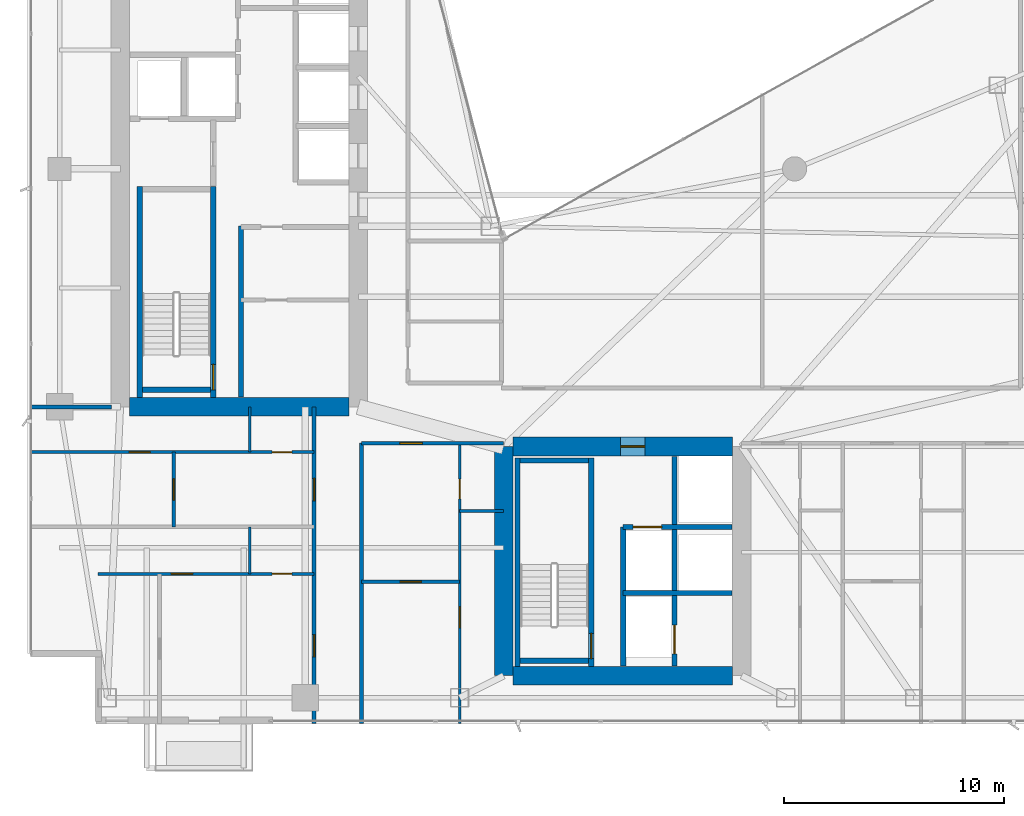
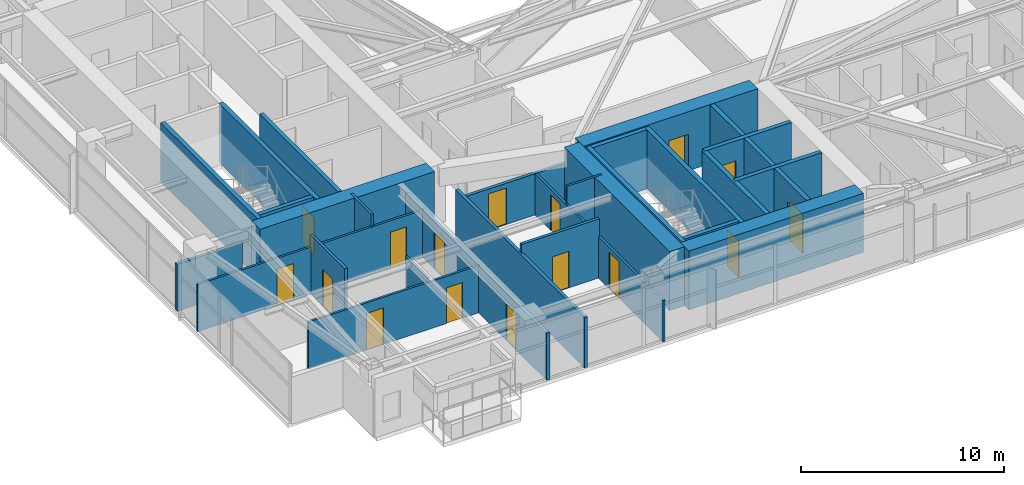
# One storey, part 22 of 28: 28 walls, 16 doors, 16 openings.
"""IFC4 building model written with IfcOpenShell, lengths in metres."""

from ifc_helpers import new_model, si_unit, direction, frame, frame_2d, origin, place, context, subcontext, project, spatial, rectangle, extrude, material, layer, layer_set, type_object, element, fill, save


model = new_model("IFC4")

# Units and contexts
model_context = context("Model", 3, precision=1e-05, world=origin(), true_north=direction((0.0, 1.0)))
body_context = subcontext(model_context, "Body", "Model", "MODEL_VIEW")
ifc_project = project(units=[si_unit("LENGTHUNIT", "METRE"), si_unit("AREAUNIT", "SQUARE_METRE"), si_unit("VOLUMEUNIT", "CUBIC_METRE"), si_unit("PLANEANGLEUNIT", "RADIAN"), si_unit("MASSUNIT", "GRAM", prefix="KILO")], contexts=[model_context])

# Site, building, storey
site_placement = place(None, origin())
site = spatial("IfcSite", under=ifc_project, at=site_placement, CompositionType="ELEMENT")
building_placement = place(site_placement, origin())
building = spatial("IfcBuilding", under=site, at=building_placement, Name="Calvorn Quay Hotel", CompositionType="ELEMENT")
storey_placement = place(building_placement, frame((0.0, 0.0, 108.800048828125)))
storey = spatial("IfcBuildingStorey", under=building, at=storey_placement, Name="L26", CompositionType="ELEMENT", Elevation=108.800048828125)

# Walls
ifc_material_1 = material(Name="Concrete C50", Category="concrete")
ifc_layer_1 = layer(ifc_material_1, 0.85009765625)
ifc_layer_set_1 = layer_set([ifc_layer_1], Name="WL-CORE-850")
wall_type_1 = type_object("IfcWallType", Name="WL-CORE-850", PredefinedType="SHEAR", material=ifc_layer_set_1)
wall_1_placement = place(storey_placement, frame((4.625, 16.800048828125, 0.0), z_axis=(0.0, 0.0, 1.0), x_axis=(1.0, 0.0, 0.0)))
element("IfcWall", 1, at=wall_1_placement, inside=storey, type_object=wall_type_1, Name="West Core Shear Wall S (L26)", PredefinedType="SHEAR", context=body_context, shape_type="SweptSolid", body=[
    extrude(rectangle(XDim=9.949951171875, YDim=0.85009765625, at=frame_2d((4.97509765625, 0.0))), origin(), (0.0, 0.0, 1.0), 3.56005859375),
])
wall_2_placement = place(storey_placement, frame((21.60009765625, 4.60009765625, 0.0), z_axis=(0.0, 0.0, 1.0), x_axis=(0.0, 1.0, 0.0)))
element("IfcWall", 2, at=wall_2_placement, inside=storey, type_object=wall_type_1, Name="East Core Shear Wall W (L26)", PredefinedType="SHEAR", context=body_context, shape_type="SweptSolid", body=[
    extrude(rectangle(XDim=10.39990234375, YDim=0.85009765625, at=frame_2d((5.199951171875, 0.0))), origin(), (0.0, 0.0, 1.0), 3.56005859375),
])

# Wall, opening, door
wall_3_placement = place(storey_placement, frame((22.02490234375, 15.0, 0.0), z_axis=(0.0, 0.0, 1.0), x_axis=(1.0, 0.0, 0.0)))
wall_3 = element("IfcWall", 3, at=wall_3_placement, inside=storey, type_object=wall_type_1, Name="East Core Shear Wall N (L26)", PredefinedType="SHEAR", context=body_context, shape_type="SweptSolid", body=[
    extrude(rectangle(XDim=9.9501953125, YDim=0.85009765625, at=frame_2d((4.97509765625, 0.0))), origin(), (0.0, 0.0, 1.0), 3.56005859375),
])
opening_1_placement = place(wall_3_placement, frame((4.8798828125, 0.0, 0.0)))
opening_1 = element("IfcOpeningElement", 4, at=opening_1_placement, cuts=wall_3, Name="Opening D-L26-FLE", PredefinedType="OPENING", context=body_context, shape_type="SweptSolid", body=[
    extrude(rectangle(XDim=1.10009765625, YDim=2.199951171875, at=frame_2d((0.550048828125, 1.10009765625))), frame((0.0, 0.43505859375, 0.0), z_axis=(0.0, -1.0, 0.0), x_axis=(1.0, 0.0, 0.0)), (0.0, 0.0, 1.0), 0.8701171875),
])
ifc_material_2 = material(Name="Smoke-Sealed Steel Class A Fire Door", Category="steel")
door_type_1 = type_object("IfcDoorType", Name="DR-FFLOBBY-1100", OperationType="NOTDEFINED", PredefinedType="DOOR", material=ifc_material_2)
door_1_placement = place(opening_1_placement, origin())
door_1 = element("IfcDoor", 5, at=door_1_placement, inside=storey, type_object=door_type_1, Name="East Firefighting Lobby Fire Door (L26)", OperationType="SINGLE_SWING_RIGHT", OverallHeight=2.199951171875, OverallWidth=1.10009765625, PredefinedType="DOOR", context=body_context, shape_type="SweptSolid", body=[
    extrude(rectangle(XDim=1.10009765625, YDim=2.199951171875, at=frame_2d((0.550048828125, 1.10009765625))), frame((0.0, 0.02490234375, 0.0), z_axis=(0.0, -1.0, 0.0), x_axis=(1.0, 0.0, 0.0)), (0.0, 0.0, 1.0), 0.050048828125),
])
fill(opening_1, door_1)

# Walls
wall_4_placement = place(storey_placement, frame((22.02490234375, 4.60009765625, 0.0), z_axis=(0.0, 0.0, 1.0), x_axis=(1.0, 0.0, 0.0)))
element("IfcWall", 6, at=wall_4_placement, inside=storey, type_object=wall_type_1, Name="East Core Shear Wall S (L26)", PredefinedType="SHEAR", context=body_context, shape_type="SweptSolid", body=[
    extrude(rectangle(XDim=9.9501953125, YDim=0.85009765625, at=frame_2d((4.97509765625, 0.0))), origin(), (0.0, 0.0, 1.0), 3.56005859375),
])
ifc_material_3 = material(Name="Acoustic Fireboard Steel-Stud Partition", Category="steel")
ifc_layer_2 = layer(ifc_material_3, 0.179931640625)
ifc_layer_set_2 = layer_set([ifc_layer_2], Name="WL-CORR-FIRE-180")
wall_type_2 = type_object("IfcWallType", Name="WL-CORR-FIRE-180", PredefinedType="PARTITIONING", material=ifc_layer_set_2)
wall_5_placement = place(storey_placement, frame((0.080078125, 16.800048828125, 0.0), z_axis=(0.0, 0.0, 1.0), x_axis=(1.0, 0.0, 0.0)))
element("IfcWall", 7, at=wall_5_placement, inside=storey, type_object=wall_type_2, Name="Partition Wall L26-WL-WBAY-S-WALL", PredefinedType="PARTITIONING", context=body_context, shape_type="SweptSolid", body=[
    extrude(rectangle(XDim=3.724853515625, YDim=0.179931640625, at=frame_2d((1.8623046875, 0.0))), origin(), (0.0, 0.0, 1.0), 2.83984375),
])

# Wall, openings, doors
wall_6_placement = place(storey_placement, frame((13.0, 2.43994140625, 0.0), z_axis=(0.0, 0.0, 1.0), x_axis=(0.0, 1.0, 0.0)))
wall_6 = element("IfcWall", 8, at=wall_6_placement, inside=storey, type_object=wall_type_2, Name="Partition Wall L26-WL-CORR-SW-LEG-W", PredefinedType="PARTITIONING", context=body_context, shape_type="SweptSolid", body=[
    extrude(rectangle(XDim=14.360107421875, YDim=0.179931640625, at=frame_2d((7.18017578125, 0.0))), origin(), (0.0, 0.0, 1.0), 2.83984375),
])
opening_2_placement = place(wall_6_placement, frame((3.010009765625, 0.0, 0.0)))
opening_2 = element("IfcOpeningElement", 9, at=opening_2_placement, cuts=wall_6, Name="Opening D-L26-U01", PredefinedType="OPENING", context=body_context, shape_type="SweptSolid", body=[
    extrude(rectangle(XDim=1.02001953125, YDim=2.199951171875, at=frame_2d((0.510009765625, 1.10009765625))), frame((0.0, 0.099853515625, 0.0), z_axis=(0.0, -1.0, 0.0), x_axis=(1.0, 0.0, 0.0)), (0.0, 0.0, 1.0), 0.199951171875),
])
opening_3_placement = place(wall_6_placement, frame((10.10009765625, 0.0, 0.0)))
opening_3 = element("IfcOpeningElement", 10, at=opening_3_placement, cuts=wall_6, Name="Opening D-L26-U02", PredefinedType="OPENING", context=body_context, shape_type="SweptSolid", body=[
    extrude(rectangle(XDim=1.02001953125, YDim=2.199951171875, at=frame_2d((0.510009765625, 1.10009765625))), frame((0.0, 0.099853515625, 0.0), z_axis=(0.0, -1.0, 0.0), x_axis=(1.0, 0.0, 0.0)), (0.0, 0.0, 1.0), 0.199951171875),
])
ifc_material_4 = material(Name="Solid-Core Walnut Veneer Hotel Fire Door")
door_type_2 = type_object("IfcDoorType", Name="DR-GUEST-ENTRY-1020", OperationType="NOTDEFINED", PredefinedType="DOOR", material=ifc_material_4)
door_2_placement = place(opening_2_placement, origin())
door_2 = element("IfcDoor", 11, at=door_2_placement, inside=storey, type_object=door_type_2, Name="South-West Unit Door U01 (L26)", OperationType="SINGLE_SWING_LEFT", OverallHeight=2.199951171875, OverallWidth=1.02001953125, PredefinedType="DOOR", context=body_context, shape_type="SweptSolid", body=[
    extrude(rectangle(XDim=1.02001953125, YDim=2.199951171875, at=frame_2d((0.510009765625, 1.10009765625))), frame((0.0, 0.02490234375, 0.0), z_axis=(0.0, -1.0, 0.0), x_axis=(1.0, 0.0, 0.0)), (0.0, 0.0, 1.0), 0.050048828125),
])
fill(opening_2, door_2)
door_3_placement = place(opening_3_placement, origin())
door_3 = element("IfcDoor", 12, at=door_3_placement, inside=storey, type_object=door_type_2, Name="South-West Unit Door U02 (L26)", OperationType="SINGLE_SWING_RIGHT", OverallHeight=2.199951171875, OverallWidth=1.02001953125, PredefinedType="DOOR", context=body_context, shape_type="SweptSolid", body=[
    extrude(rectangle(XDim=1.02001953125, YDim=2.199951171875, at=frame_2d((0.510009765625, 1.10009765625))), frame((0.0, 0.02490234375, 0.0), z_axis=(0.0, -1.0, 0.0), x_axis=(1.0, 0.0, 0.0)), (0.0, 0.0, 1.0), 0.050048828125),
])
fill(opening_3, door_3)

# Wall
wall_7_placement = place(storey_placement, frame((15.14990234375, 2.43994140625, 0.0), z_axis=(0.0, 0.0, 1.0), x_axis=(0.0, 1.0, 0.0)))
element("IfcWall", 13, at=wall_7_placement, inside=storey, type_object=wall_type_2, Name="Partition Wall L26-WL-CORR-SW-W", PredefinedType="PARTITIONING", context=body_context, shape_type="SweptSolid", body=[
    extrude(rectangle(XDim=12.7099609375, YDim=0.179931640625, at=frame_2d((6.35498046875, 0.0))), origin(), (0.0, 0.0, 1.0), 3.0400390625),
])

# Wall, opening, door
wall_8_placement = place(storey_placement, frame((15.14990234375, 15.14990234375, 0.0), z_axis=(0.0, 0.0, 1.0), x_axis=(1.0, 0.0, 0.0)))
wall_8 = element("IfcWall", 14, at=wall_8_placement, inside=storey, type_object=wall_type_2, Name="Partition Wall L26-WL-SC-CORR-S", PredefinedType="PARTITIONING", context=body_context, shape_type="SweptSolid", body=[
    extrude(rectangle(XDim=6.4501953125, YDim=0.179931640625, at=frame_2d((3.22509765625, 0.0))), origin(), (0.0, 0.0, 1.0), 2.489990234375),
])
opening_4_placement = place(wall_8_placement, frame((1.739990234375, 0.0, 0.0)))
opening_4 = element("IfcOpeningElement", 15, at=opening_4_placement, cuts=wall_8, Name="Opening D-L26-U03", PredefinedType="OPENING", context=body_context, shape_type="SweptSolid", body=[
    extrude(rectangle(XDim=1.02001953125, YDim=2.199951171875, at=frame_2d((0.510009765625, 1.10009765625))), frame((0.0, 0.099853515625, 0.0), z_axis=(0.0, -1.0, 0.0), x_axis=(1.0, 0.0, 0.0)), (0.0, 0.0, 1.0), 0.199951171875),
])
door_4_placement = place(opening_4_placement, origin())
door_4 = element("IfcDoor", 16, at=door_4_placement, inside=storey, type_object=door_type_2, Name="Harbour Central Unit Door (L26)", OperationType="SINGLE_SWING_LEFT", OverallHeight=2.199951171875, OverallWidth=1.02001953125, PredefinedType="DOOR", context=body_context, shape_type="SweptSolid", body=[
    extrude(rectangle(XDim=1.02001953125, YDim=2.199951171875, at=frame_2d((0.510009765625, 1.10009765625))), frame((0.0, 0.02490234375, 0.0), z_axis=(0.0, -1.0, 0.0), x_axis=(1.0, 0.0, 0.0)), (0.0, 0.0, 1.0), 0.050048828125),
])
fill(opening_4, door_4)

# Wall
ifc_material_5 = material(Name="Moisture-Resistant Tile-Backed Partition")
ifc_layer_3 = layer(ifc_material_5, 0.125)
ifc_layer_set_3 = layer_set([ifc_layer_3], Name="WL-ENSUITE-125")
wall_type_3 = type_object("IfcWallType", Name="WL-ENSUITE-125", PredefinedType="PARTITIONING", material=ifc_layer_set_3)
wall_9_placement = place(storey_placement, frame((10.080078125, 9.219970703125, 0.0), z_axis=(0.0, 0.0, 1.0), x_axis=(0.0, 1.0, 0.0)))
element("IfcWall", 17, at=wall_9_placement, inside=storey, type_object=wall_type_3, Name="Partition Wall L26-WL-U01-BDV", PredefinedType="PARTITIONING", context=body_context, shape_type="SweptSolid", body=[
    extrude(rectangle(XDim=2.130126953125, YDim=0.125, at=frame_2d((1.06494140625, 0.0))), origin(), (0.0, 0.0, 1.0), 3.08984375),
])

# Wall, openings, doors
wall_10_placement = place(storey_placement, frame((3.199951171875, 9.219970703125, 0.0), z_axis=(0.0, 0.0, 1.0), x_axis=(1.0, 0.0, 0.0)))
wall_10 = element("IfcWall", 18, at=wall_10_placement, inside=storey, type_object=wall_type_3, Name="Partition Wall L26-WL-U01-BH", PredefinedType="PARTITIONING", context=body_context, shape_type="SweptSolid", body=[
    extrude(rectangle(XDim=9.800048828125, YDim=0.125, at=frame_2d((4.89990234375, 0.0))), origin(), (0.0, 0.0, 1.0), 2.83984375),
])
opening_5_placement = place(wall_10_placement, frame((3.320068359375, 0.0, 0.0)))
opening_5 = element("IfcOpeningElement", 19, at=opening_5_placement, cuts=wall_10, Name="Opening D-L26-S01", PredefinedType="OPENING", context=body_context, shape_type="SweptSolid", body=[
    extrude(rectangle(XDim=0.9599609375, YDim=2.199951171875, at=frame_2d((0.47998046875, 1.10009765625))), frame((0.0, 0.072509765625, 0.0), z_axis=(0.0, -1.0, 0.0), x_axis=(1.0, 0.0, 0.0)), (0.0, 0.0, 1.0), 0.14501953125),
])
opening_6_placement = place(wall_10_placement, frame((7.889892578125, 0.0, 0.0)))
opening_6 = element("IfcOpeningElement", 20, at=opening_6_placement, cuts=wall_10, Name="Opening D-L26-E01", PredefinedType="OPENING", context=body_context, shape_type="SweptSolid", body=[
    extrude(rectangle(XDim=0.89990234375, YDim=2.14990234375, at=frame_2d((0.449951171875, 1.074951171875))), frame((0.0, 0.072509765625, 0.0), z_axis=(0.0, -1.0, 0.0), x_axis=(1.0, 0.0, 0.0)), (0.0, 0.0, 1.0), 0.14501953125),
])
ifc_material_6 = material(Name="Moisture-Sealed Timber En-Suite Door", Category="wood")
door_type_3 = type_object("IfcDoorType", Name="DR-ENSUITE-900", OperationType="NOTDEFINED", PredefinedType="DOOR", material=ifc_material_6)
door_5_placement = place(opening_6_placement, origin())
door_5 = element("IfcDoor", 21, at=door_5_placement, inside=storey, type_object=door_type_3, Name="En-Suite Door 01", OperationType="SINGLE_SWING_RIGHT", OverallHeight=2.14990234375, OverallWidth=0.89990234375, PredefinedType="DOOR", context=body_context, shape_type="SweptSolid", body=[
    extrude(rectangle(XDim=0.89990234375, YDim=2.14990234375, at=frame_2d((0.449951171875, 1.074951171875))), frame((0.0, 0.02490234375, 0.0), z_axis=(0.0, -1.0, 0.0), x_axis=(1.0, 0.0, 0.0)), (0.0, 0.0, 1.0), 0.050048828125),
])
fill(opening_6, door_5)
ifc_material_7 = material(Name="Solid Timber Internal Suite Door", Category="wood")
door_type_4 = type_object("IfcDoorType", Name="DR-SUITE-INT-960", OperationType="NOTDEFINED", PredefinedType="DOOR", material=ifc_material_7)
door_6_placement = place(opening_5_placement, origin())
door_6 = element("IfcDoor", 22, at=door_6_placement, inside=storey, type_object=door_type_4, Name="Harbour Dining Den Door 01", OperationType="SINGLE_SWING_LEFT", OverallHeight=2.199951171875, OverallWidth=0.9599609375, PredefinedType="DOOR", context=body_context, shape_type="SweptSolid", body=[
    extrude(rectangle(XDim=0.9599609375, YDim=2.199951171875, at=frame_2d((0.47998046875, 1.10009765625))), frame((0.0, 0.02490234375, 0.0), z_axis=(0.0, -1.0, 0.0), x_axis=(1.0, 0.0, 0.0)), (0.0, 0.0, 1.0), 0.050048828125),
])
fill(opening_5, door_6)

# Wall
wall_11_placement = place(storey_placement, frame((10.080078125, 14.75, 0.0), z_axis=(0.0, 0.0, 1.0), x_axis=(0.0, 1.0, 0.0)))
element("IfcWall", 23, at=wall_11_placement, inside=storey, type_object=wall_type_3, Name="Partition Wall L26-WL-U02-BDV", PredefinedType="PARTITIONING", context=body_context, shape_type="SweptSolid", body=[
    extrude(rectangle(XDim=2.050048828125, YDim=0.125, at=frame_2d((1.02490234375, 0.0))), origin(), (0.0, 0.0, 1.0), 3.56005859375),
])

# Wall, openings, doors
wall_12_placement = place(storey_placement, frame((0.080078125, 14.75, 0.0), z_axis=(0.0, 0.0, 1.0), x_axis=(1.0, 0.0, 0.0)))
wall_12 = element("IfcWall", 24, at=wall_12_placement, inside=storey, type_object=wall_type_3, Name="Partition Wall L26-WL-U02-BH", PredefinedType="PARTITIONING", context=body_context, shape_type="SweptSolid", body=[
    extrude(rectangle(XDim=12.919921875, YDim=0.125, at=frame_2d((6.4599609375, 0.0))), origin(), (0.0, 0.0, 1.0), 2.83984375),
])
opening_7_placement = place(wall_12_placement, frame((4.52001953125, 0.0, 0.0)))
opening_7 = element("IfcOpeningElement", 25, at=opening_7_placement, cuts=wall_12, Name="Opening D-L26-S02", PredefinedType="OPENING", context=body_context, shape_type="SweptSolid", body=[
    extrude(rectangle(XDim=0.9599609375, YDim=2.199951171875, at=frame_2d((0.47998046875, 1.10009765625))), frame((0.0, 0.072509765625, 0.0), z_axis=(0.0, -1.0, 0.0), x_axis=(1.0, 0.0, 0.0)), (0.0, 0.0, 1.0), 0.14501953125),
])
opening_8_placement = place(wall_12_placement, frame((11.010009765625, 0.0, 0.0)))
opening_8 = element("IfcOpeningElement", 26, at=opening_8_placement, cuts=wall_12, Name="Opening D-L26-E02", PredefinedType="OPENING", context=body_context, shape_type="SweptSolid", body=[
    extrude(rectangle(XDim=0.89990234375, YDim=2.14990234375, at=frame_2d((0.449951171875, 1.074951171875))), frame((0.0, 0.072509765625, 0.0), z_axis=(0.0, -1.0, 0.0), x_axis=(1.0, 0.0, 0.0)), (0.0, 0.0, 1.0), 0.14501953125),
])
door_7_placement = place(opening_8_placement, origin())
door_7 = element("IfcDoor", 27, at=door_7_placement, inside=storey, type_object=door_type_3, Name="En-Suite Door 02", OperationType="SINGLE_SWING_RIGHT", OverallHeight=2.14990234375, OverallWidth=0.89990234375, PredefinedType="DOOR", context=body_context, shape_type="SweptSolid", body=[
    extrude(rectangle(XDim=0.89990234375, YDim=2.14990234375, at=frame_2d((0.449951171875, 1.074951171875))), frame((0.0, 0.02490234375, 0.0), z_axis=(0.0, -1.0, 0.0), x_axis=(1.0, 0.0, 0.0)), (0.0, 0.0, 1.0), 0.050048828125),
])
fill(opening_8, door_7)
door_8_placement = place(opening_7_placement, origin())
door_8 = element("IfcDoor", 28, at=door_8_placement, inside=storey, type_object=door_type_4, Name="Harbour Dining Den Door 02", OperationType="SINGLE_SWING_LEFT", OverallHeight=2.199951171875, OverallWidth=0.9599609375, PredefinedType="DOOR", context=body_context, shape_type="SweptSolid", body=[
    extrude(rectangle(XDim=0.9599609375, YDim=2.199951171875, at=frame_2d((0.47998046875, 1.10009765625))), frame((0.0, 0.02490234375, 0.0), z_axis=(0.0, -1.0, 0.0), x_axis=(1.0, 0.0, 0.0)), (0.0, 0.0, 1.0), 0.050048828125),
])
fill(opening_7, door_8)

# Wall
wall_13_placement = place(storey_placement, frame((19.60009765625, 12.070068359375, 0.0), z_axis=(0.0, 0.0, 1.0), x_axis=(1.0, 0.0, 0.0)))
element("IfcWall", 29, at=wall_13_placement, inside=storey, type_object=wall_type_3, Name="Partition Wall L26-WL-U03-BDV", PredefinedType="PARTITIONING", context=body_context, shape_type="SweptSolid", body=[
    extrude(rectangle(XDim=2.0, YDim=0.125, at=frame_2d((1.0, 0.0))), origin(), (0.0, 0.0, 1.0), 3.56005859375),
])

# Wall, openings, doors
wall_14_placement = place(storey_placement, frame((19.60009765625, 2.43994140625, 0.0), z_axis=(0.0, 0.0, 1.0), x_axis=(0.0, 1.0, 0.0)))
wall_14 = element("IfcWall", 30, at=wall_14_placement, inside=storey, type_object=wall_type_3, Name="Partition Wall L26-WL-U03-BV", PredefinedType="PARTITIONING", context=body_context, shape_type="SweptSolid", body=[
    extrude(rectangle(XDim=12.7099609375, YDim=0.125, at=frame_2d((6.35498046875, 0.0))), origin(), (0.0, 0.0, 1.0), 2.489990234375),
])
opening_9_placement = place(wall_14_placement, frame((4.340087890625, 0.0, 0.0)))
opening_9 = element("IfcOpeningElement", 31, at=opening_9_placement, cuts=wall_14, Name="Opening D-L26-S03", PredefinedType="OPENING", context=body_context, shape_type="SweptSolid", body=[
    extrude(rectangle(XDim=0.9599609375, YDim=2.199951171875, at=frame_2d((0.47998046875, 1.10009765625))), frame((0.0, 0.072509765625, 0.0), z_axis=(0.0, -1.0, 0.0), x_axis=(1.0, 0.0, 0.0)), (0.0, 0.0, 1.0), 0.14501953125),
])
opening_10_placement = place(wall_14_placement, frame((10.179931640625, 0.0, 0.0)))
opening_10 = element("IfcOpeningElement", 32, at=opening_10_placement, cuts=wall_14, Name="Opening D-L26-E03", PredefinedType="OPENING", context=body_context, shape_type="SweptSolid", body=[
    extrude(rectangle(XDim=0.89990234375, YDim=2.14990234375, at=frame_2d((0.449951171875, 1.074951171875))), frame((0.0, 0.072509765625, 0.0), z_axis=(0.0, -1.0, 0.0), x_axis=(1.0, 0.0, 0.0)), (0.0, 0.0, 1.0), 0.14501953125),
])
door_9_placement = place(opening_10_placement, origin())
door_9 = element("IfcDoor", 33, at=door_9_placement, inside=storey, type_object=door_type_3, Name="En-Suite Door 03", OperationType="SINGLE_SWING_RIGHT", OverallHeight=2.14990234375, OverallWidth=0.89990234375, PredefinedType="DOOR", context=body_context, shape_type="SweptSolid", body=[
    extrude(rectangle(XDim=0.89990234375, YDim=2.14990234375, at=frame_2d((0.449951171875, 1.074951171875))), frame((0.0, 0.02490234375, 0.0), z_axis=(0.0, -1.0, 0.0), x_axis=(1.0, 0.0, 0.0)), (0.0, 0.0, 1.0), 0.050048828125),
])
fill(opening_10, door_9)
door_10_placement = place(opening_9_placement, origin())
door_10 = element("IfcDoor", 34, at=door_10_placement, inside=storey, type_object=door_type_4, Name="Harbour Dining Den Door 03", OperationType="SINGLE_SWING_LEFT", OverallHeight=2.199951171875, OverallWidth=0.9599609375, PredefinedType="DOOR", context=body_context, shape_type="SweptSolid", body=[
    extrude(rectangle(XDim=0.9599609375, YDim=2.199951171875, at=frame_2d((0.47998046875, 1.10009765625))), frame((0.0, 0.02490234375, 0.0), z_axis=(0.0, -1.0, 0.0), x_axis=(1.0, 0.0, 0.0)), (0.0, 0.0, 1.0), 0.050048828125),
])
fill(opening_9, door_10)

# Wall, opening, door
ifc_material_8 = material(Name="Double-Stud Acoustic Gypsum Partition")
ifc_layer_4 = layer(ifc_material_8, 0.159912109375)
ifc_layer_set_4 = layer_set([ifc_layer_4], Name="WL-INTERSUITE-160")
wall_type_4 = type_object("IfcWallType", Name="WL-INTERSUITE-160", PredefinedType="PARTITIONING", material=ifc_layer_set_4)
wall_15_placement = place(storey_placement, frame((6.6201171875, 11.35009765625, 0.0), z_axis=(0.0, 0.0, 1.0), x_axis=(0.0, 1.0, 0.0)))
wall_15 = element("IfcWall", 35, at=wall_15_placement, inside=storey, type_object=wall_type_4, Name="Partition Wall L26-WL-U02-MSP", PredefinedType="PARTITIONING", context=body_context, shape_type="SweptSolid", body=[
    extrude(rectangle(XDim=3.39990234375, YDim=0.159912109375, at=frame_2d((1.699951171875, 0.0))), origin(), (0.0, 0.0, 1.0), 3.56005859375),
])
opening_11_placement = place(wall_15_placement, frame((1.219970703125, 0.0, 0.0)))
opening_11 = element("IfcOpeningElement", 36, at=opening_11_placement, cuts=wall_15, Name="Opening D-L26-M02", PredefinedType="OPENING", context=body_context, shape_type="SweptSolid", body=[
    extrude(rectangle(XDim=0.9599609375, YDim=2.199951171875, at=frame_2d((0.47998046875, 1.10009765625))), frame((0.0, 0.08984375, 0.0), z_axis=(0.0, -1.0, 0.0), x_axis=(1.0, 0.0, 0.0)), (0.0, 0.0, 1.0), 0.179931640625),
])
door_11_placement = place(opening_11_placement, origin())
door_11 = element("IfcDoor", 37, at=door_11_placement, inside=storey, type_object=door_type_4, Name="Suite Bedroom Door 02", OperationType="SINGLE_SWING_LEFT", OverallHeight=2.199951171875, OverallWidth=0.9599609375, PredefinedType="DOOR", context=body_context, shape_type="SweptSolid", body=[
    extrude(rectangle(XDim=0.9599609375, YDim=2.199951171875, at=frame_2d((0.47998046875, 1.10009765625))), frame((0.0, 0.02490234375, 0.0), z_axis=(0.0, -1.0, 0.0), x_axis=(1.0, 0.0, 0.0)), (0.0, 0.0, 1.0), 0.050048828125),
])
fill(opening_11, door_11)

wall_16_placement = place(storey_placement, frame((15.14990234375, 8.8701171875, 0.0), z_axis=(0.0, 0.0, 1.0), x_axis=(1.0, 0.0, 0.0)))
wall_16 = element("IfcWall", 38, at=wall_16_placement, inside=storey, type_object=wall_type_4, Name="Partition Wall L26-WL-U03-MSP", PredefinedType="PARTITIONING", context=body_context, shape_type="SweptSolid", body=[
    extrude(rectangle(XDim=4.4501953125, YDim=0.159912109375, at=frame_2d((2.22509765625, 0.0))), origin(), (0.0, 0.0, 1.0), 3.56005859375),
])
opening_12_placement = place(wall_16_placement, frame((1.75, 0.0, 0.0)))
opening_12 = element("IfcOpeningElement", 39, at=opening_12_placement, cuts=wall_16, Name="Opening D-L26-M03", PredefinedType="OPENING", context=body_context, shape_type="SweptSolid", body=[
    extrude(rectangle(XDim=0.9599609375, YDim=2.199951171875, at=frame_2d((0.47998046875, 1.10009765625))), frame((0.0, 0.08984375, 0.0), z_axis=(0.0, -1.0, 0.0), x_axis=(1.0, 0.0, 0.0)), (0.0, 0.0, 1.0), 0.179931640625),
])
door_12_placement = place(opening_12_placement, origin())
door_12 = element("IfcDoor", 40, at=door_12_placement, inside=storey, type_object=door_type_4, Name="Suite Bedroom Door 03", OperationType="SINGLE_SWING_LEFT", OverallHeight=2.199951171875, OverallWidth=0.9599609375, PredefinedType="DOOR", context=body_context, shape_type="SweptSolid", body=[
    extrude(rectangle(XDim=0.9599609375, YDim=2.199951171875, at=frame_2d((0.47998046875, 1.10009765625))), frame((0.0, 0.02490234375, 0.0), z_axis=(0.0, -1.0, 0.0), x_axis=(1.0, 0.0, 0.0)), (0.0, 0.0, 1.0), 0.050048828125),
])
fill(opening_12, door_12)

# Walls
ifc_material_9 = material(Name="Autoclaved Aerated Masonry Block", Category="masonry")
ifc_layer_5 = layer(ifc_material_9, 0.219970703125)
ifc_layer_set_5 = layer_set([ifc_layer_5], Name="WL-LOBBY-FIRE-220")
wall_type_5 = type_object("IfcWallType", Name="WL-LOBBY-FIRE-220", PredefinedType="SOLIDWALL", material=ifc_layer_set_5)
wall_17_placement = place(storey_placement, frame((9.679931640625, 17.2451171875, 0.0), z_axis=(0.0, 0.0, 1.0), x_axis=(0.0, 1.0, 0.0)))
element("IfcWall", 41, at=wall_17_placement, inside=storey, type_object=wall_type_5, Name="Partition Wall L26-WL-CWW-STW-HALL-E", PredefinedType="SOLIDWALL", context=body_context, shape_type="SweptSolid", body=[
    extrude(rectangle(XDim=7.7548828125, YDim=0.219970703125, at=frame_2d((3.87744140625, 0.0))), origin(), (0.0, 0.0, 1.0), 3.56005859375),
])
ifc_material_10 = material(Name="Concrete C40", Category="concrete")
ifc_layer_6 = layer(ifc_material_10, 0.239990234375)
ifc_layer_set_6 = layer_set([ifc_layer_6], Name="WL-SHAFT-240")
wall_type_6 = type_object("IfcWallType", Name="WL-SHAFT-240", PredefinedType="SOLIDWALL", material=ifc_layer_set_6)
wall_18_placement = place(storey_placement, frame((5.080078125, 17.22509765625, 0.0), z_axis=(0.0, 0.0, 1.0), x_axis=(0.0, 1.0, 0.0)))
element("IfcWall", 42, at=wall_18_placement, inside=storey, type_object=wall_type_6, Name="Stair STW Shaft Wall W (L26)", PredefinedType="SOLIDWALL", context=body_context, shape_type="SweptSolid", body=[
    extrude(rectangle(XDim=9.56494140625, YDim=0.239990234375, at=frame_2d((4.782470703125, 0.0))), origin(), (0.0, 0.0, 1.0), 3.56005859375),
])

# Wall, opening, door
wall_19_placement = place(storey_placement, frame((8.419921875, 17.22509765625, 0.0), z_axis=(0.0, 0.0, 1.0), x_axis=(0.0, 1.0, 0.0)))
wall_19 = element("IfcWall", 43, at=wall_19_placement, inside=storey, type_object=wall_type_6, Name="Stair STW Shaft Wall E (L26)", PredefinedType="SOLIDWALL", context=body_context, shape_type="SweptSolid", body=[
    extrude(rectangle(XDim=9.56494140625, YDim=0.239990234375, at=frame_2d((4.782470703125, 0.0))), origin(), (0.0, 0.0, 1.0), 3.56005859375),
])
opening_13_placement = place(wall_19_placement, frame((0.35009765625, 0.0, 0.0)))
opening_13 = element("IfcOpeningElement", 44, at=opening_13_placement, cuts=wall_19, Name="Opening D-L26-STW", PredefinedType="OPENING", context=body_context, shape_type="SweptSolid", body=[
    extrude(rectangle(XDim=1.14990234375, YDim=2.199951171875, at=frame_2d((0.574951171875, 1.10009765625))), frame((0.0, 0.1298828125, 0.0), z_axis=(0.0, -1.0, 0.0), x_axis=(1.0, 0.0, 0.0)), (0.0, 0.0, 1.0), 0.260009765625),
])
ifc_material_11 = material(Name="Galvanised Steel Class A Fire Door", Category="steel")
door_type_5 = type_object("IfcDoorType", Name="DR-STAIR-SMOKE-1150", OperationType="NOTDEFINED", PredefinedType="DOOR", material=ifc_material_11)
door_13_placement = place(opening_13_placement, origin())
door_13 = element("IfcDoor", 45, at=door_13_placement, inside=storey, type_object=door_type_5, Name="Stair ST-W Fire Door (L26)", OperationType="SINGLE_SWING_LEFT", OverallHeight=2.199951171875, OverallWidth=1.14990234375, PredefinedType="DOOR", context=body_context, shape_type="SweptSolid", body=[
    extrude(rectangle(XDim=1.14990234375, YDim=2.199951171875, at=frame_2d((0.574951171875, 1.10009765625))), frame((0.0, 0.02490234375, 0.0), z_axis=(0.0, -1.0, 0.0), x_axis=(1.0, 0.0, 0.0)), (0.0, 0.0, 1.0), 0.050048828125),
])
fill(opening_13, door_13)

# Walls
wall_20_placement = place(storey_placement, frame((5.199951171875, 17.580078125, 0.0), z_axis=(0.0, 0.0, 1.0), x_axis=(1.0, 0.0, 0.0)))
element("IfcWall", 46, at=wall_20_placement, inside=storey, type_object=wall_type_6, Name="Stair STW Shaft Wall S (L26)", PredefinedType="SOLIDWALL", context=body_context, shape_type="SweptSolid", body=[
    extrude(rectangle(XDim=3.10009765625, YDim=0.239990234375, at=frame_2d((1.550048828125, 0.0))), origin(), (0.0, 0.0, 1.0), 3.56005859375),
])
wall_21_placement = place(storey_placement, frame((22.22998046875, 5.02490234375, 0.0), z_axis=(0.0, 0.0, 1.0), x_axis=(0.0, 1.0, 0.0)))
element("IfcWall", 47, at=wall_21_placement, inside=storey, type_object=wall_type_6, Name="Stair STE Shaft Wall W (L26)", PredefinedType="SOLIDWALL", context=body_context, shape_type="SweptSolid", body=[
    extrude(rectangle(XDim=9.465087890625, YDim=0.239990234375, at=frame_2d((4.732421875, 0.0))), origin(), (0.0, 0.0, 1.0), 3.56005859375),
])

# Wall, opening, door
wall_22_placement = place(storey_placement, frame((25.570068359375, 5.02490234375, 0.0), z_axis=(0.0, 0.0, 1.0), x_axis=(0.0, 1.0, 0.0)))
wall_22 = element("IfcWall", 48, at=wall_22_placement, inside=storey, type_object=wall_type_6, Name="Stair STE Shaft Wall E (L26)", PredefinedType="SOLIDWALL", context=body_context, shape_type="SweptSolid", body=[
    extrude(rectangle(XDim=9.465087890625, YDim=0.239990234375, at=frame_2d((4.732421875, 0.0))), origin(), (0.0, 0.0, 1.0), 3.56005859375),
])
opening_14_placement = place(wall_22_placement, frame((0.35009765625, 0.0, 0.0)))
opening_14 = element("IfcOpeningElement", 49, at=opening_14_placement, cuts=wall_22, Name="Opening D-L26-STE", PredefinedType="OPENING", context=body_context, shape_type="SweptSolid", body=[
    extrude(rectangle(XDim=1.14990234375, YDim=2.199951171875, at=frame_2d((0.574951171875, 1.10009765625))), frame((0.0, 0.1298828125, 0.0), z_axis=(0.0, -1.0, 0.0), x_axis=(1.0, 0.0, 0.0)), (0.0, 0.0, 1.0), 0.260009765625),
])
door_14_placement = place(opening_14_placement, origin())
door_14 = element("IfcDoor", 50, at=door_14_placement, inside=storey, type_object=door_type_5, Name="Stair ST-E Fire Door (L26)", OperationType="SINGLE_SWING_RIGHT", OverallHeight=2.199951171875, OverallWidth=1.14990234375, PredefinedType="DOOR", context=body_context, shape_type="SweptSolid", body=[
    extrude(rectangle(XDim=1.14990234375, YDim=2.199951171875, at=frame_2d((0.574951171875, 1.10009765625))), frame((0.0, 0.02490234375, 0.0), z_axis=(0.0, -1.0, 0.0), x_axis=(1.0, 0.0, 0.0)), (0.0, 0.0, 1.0), 0.050048828125),
])
fill(opening_14, door_14)

# Walls
for number, where, z_axis, x_axis, name in (
    (51, (22.35009765625, 5.280029296875, 0.0), (0.0, 0.0, 1.0), (1.0, 0.0, 0.0), "Stair STE Shaft Wall S (L26)"),
    (52, (22.35009765625, 14.3701171875, 0.0), (0.0, 0.0, 1.0), (1.0, 0.0, 0.0), "Stair STE Shaft Wall N (L26)"),
):
    element("IfcWall", number, at=place(storey_placement, frame(where, z_axis=z_axis, x_axis=x_axis)), inside=storey, type_object=wall_type_6, Name=name, PredefinedType="SOLIDWALL", context=body_context, shape_type="SweptSolid", body=[
        extrude(rectangle(XDim=3.099853515625, YDim=0.239990234375, at=frame_2d((1.5498046875, 0.0))), origin(), (0.0, 0.0, 1.0), 3.56005859375),
    ])
wall_23_placement = place(storey_placement, frame((27.02001953125, 5.044921875, 0.0), z_axis=(0.0, 0.0, 1.0), x_axis=(0.0, 1.0, 0.0)))
element("IfcWall", 53, at=wall_23_placement, inside=storey, type_object=wall_type_6, Name="Partition Wall L26-WL-CWE-SH-W", PredefinedType="SOLIDWALL", context=body_context, shape_type="SweptSolid", body=[
    extrude(rectangle(XDim=6.30517578125, YDim=0.239990234375, at=frame_2d((3.152587890625, 0.0))), origin(), (0.0, 0.0, 1.0), 3.56005859375),
])

# Wall, opening, door
wall_24_placement = place(storey_placement, frame((27.02001953125, 11.35009765625, 0.0), z_axis=(0.0, 0.0, 1.0), x_axis=(1.0, 0.0, 0.0)))
wall_24 = element("IfcWall", 54, at=wall_24_placement, inside=storey, type_object=wall_type_6, Name="Partition Wall L26-WL-CWE-FFL-S", PredefinedType="SOLIDWALL", context=body_context, shape_type="SweptSolid", body=[
    extrude(rectangle(XDim=4.93505859375, YDim=0.239990234375, at=frame_2d((2.467529296875, 0.0))), origin(), (0.0, 0.0, 1.0), 3.56005859375),
])
opening_15_placement = place(wall_24_placement, frame((0.449951171875, 0.0, 0.0)))
opening_15 = element("IfcOpeningElement", 55, at=opening_15_placement, cuts=wall_24, Name="Opening LD-L26-FLE1", PredefinedType="OPENING", context=body_context, shape_type="SweptSolid", body=[
    extrude(rectangle(XDim=1.300048828125, YDim=2.35009765625, at=frame_2d((0.64990234375, 1.175048828125))), frame((0.0, 0.1298828125, 0.0), z_axis=(0.0, -1.0, 0.0), x_axis=(1.0, 0.0, 0.0)), (0.0, 0.0, 1.0), 0.260009765625),
])
ifc_material_12 = material(Name="Champagne-Bronze Sliding Express Lift Landing Door")
door_type_6 = type_object("IfcDoorType", Name="DR-LIFT-SHUTTLE-1300", OperationType="NOTDEFINED", PredefinedType="DOOR", material=ifc_material_12)
door_15_placement = place(opening_15_placement, origin())
door_15 = element("IfcDoor", 56, at=door_15_placement, inside=storey, type_object=door_type_6, Name="Firefighting Lift FL-E1 Landing Door (L26)", OperationType="DOUBLE_DOOR_SLIDING", OverallHeight=2.35009765625, OverallWidth=1.300048828125, PredefinedType="DOOR", context=body_context, shape_type="SweptSolid", body=[
    extrude(rectangle(XDim=1.300048828125, YDim=2.35009765625, at=frame_2d((0.64990234375, 1.175048828125))), frame((0.0, 0.02490234375, 0.0), z_axis=(0.0, -1.0, 0.0), x_axis=(1.0, 0.0, 0.0)), (0.0, 0.0, 1.0), 0.050048828125),
])
fill(opening_15, door_15)

# Wall
wall_25_placement = place(storey_placement, frame((27.02001953125, 8.35009765625, 0.0), z_axis=(0.0, 0.0, 1.0), x_axis=(1.0, 0.0, 0.0)))
element("IfcWall", 57, at=wall_25_placement, inside=storey, type_object=wall_type_6, Name="Partition Wall L26-WL-CWE-SL-N", PredefinedType="SOLIDWALL", context=body_context, shape_type="SweptSolid", body=[
    extrude(rectangle(XDim=4.93505859375, YDim=0.239990234375, at=frame_2d((2.467529296875, 0.0))), origin(), (0.0, 0.0, 1.0), 3.56005859375),
])

# Wall, opening, door
wall_26_placement = place(storey_placement, frame((29.35009765625, 5.044921875, 0.0), z_axis=(0.0, 0.0, 1.0), x_axis=(0.0, 1.0, 0.0)))
wall_26 = element("IfcWall", 58, at=wall_26_placement, inside=storey, type_object=wall_type_6, Name="Partition Wall L26-WL-CWE-OB-W", PredefinedType="SOLIDWALL", context=body_context, shape_type="SweptSolid", body=[
    extrude(rectangle(XDim=9.510009765625, YDim=0.239990234375, at=frame_2d((4.7548828125, 0.0))), origin(), (0.0, 0.0, 1.0), 3.56005859375),
])
opening_16_placement = place(wall_26_placement, frame((0.550048828125, 0.0, 0.0)))
opening_16 = element("IfcOpeningElement", 59, at=opening_16_placement, cuts=wall_26, Name="Opening LD-L26-SLEI", PredefinedType="OPENING", context=body_context, shape_type="SweptSolid", body=[
    extrude(rectangle(XDim=1.300048828125, YDim=2.35009765625, at=frame_2d((0.64990234375, 1.175048828125))), frame((0.0, 0.1298828125, 0.0), z_axis=(0.0, -1.0, 0.0), x_axis=(1.0, 0.0, 0.0)), (0.0, 0.0, 1.0), 0.260009765625),
])
door_16_placement = place(opening_16_placement, origin())
door_16 = element("IfcDoor", 60, at=door_16_placement, inside=storey, type_object=door_type_6, Name="Service Lift SL-E1 Landing Door (L26)", OperationType="DOUBLE_DOOR_SLIDING", OverallHeight=2.35009765625, OverallWidth=1.300048828125, PredefinedType="DOOR", context=body_context, shape_type="SweptSolid", body=[
    extrude(rectangle(XDim=1.300048828125, YDim=2.35009765625, at=frame_2d((0.64990234375, 1.175048828125))), frame((0.0, 0.02490234375, 0.0), z_axis=(0.0, -1.0, 0.0), x_axis=(1.0, 0.0, 0.0)), (0.0, 0.0, 1.0), 0.050048828125),
])
fill(opening_16, door_16)

save(model, "model.ifc")
